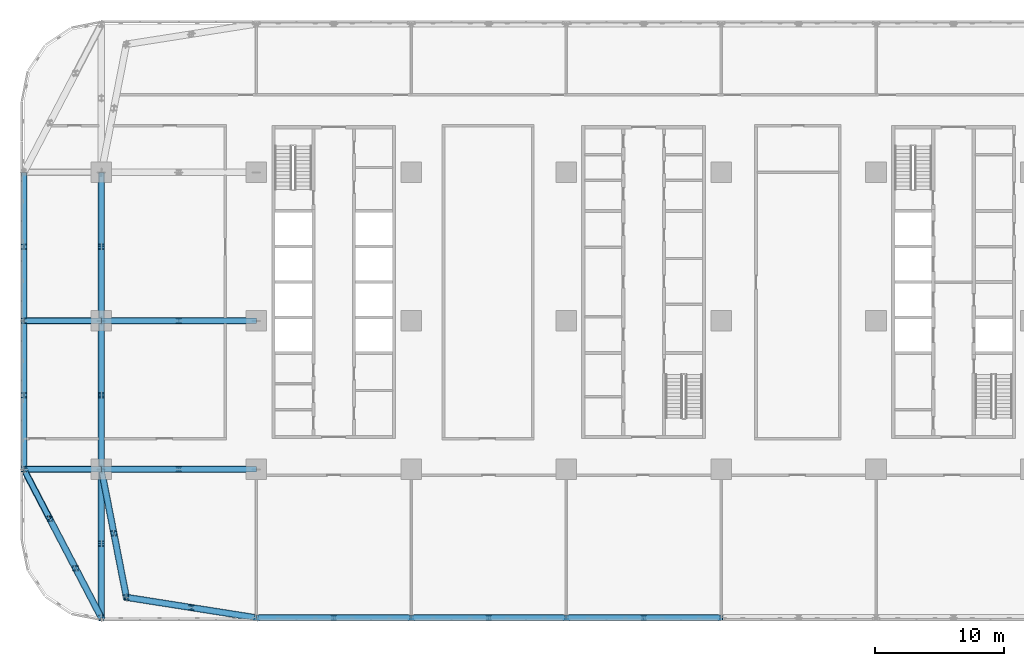
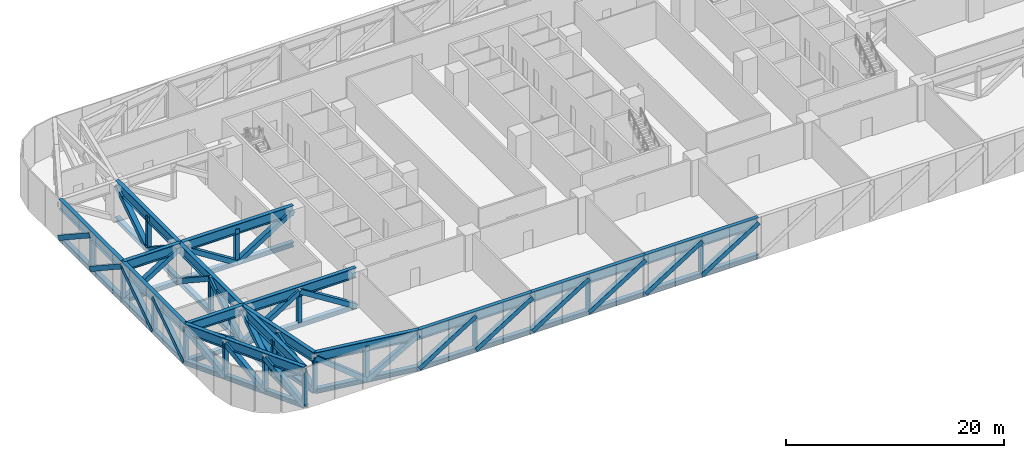
# One storey, part 3 of 25: 79 members.
"""IFC4 building model written with IfcOpenShell, lengths in metres."""

from ifc_helpers import new_model, si_unit, direction, frame, origin, origin_2d, place, context, subcontext, project, spatial, hollow_rectangle, i_section, extrude, material, material_profile, profile_set, type_object, element, save


model = new_model("IFC4")

# Units and contexts
model_context = context("Model", 3, precision=1e-05, world=origin(), true_north=direction((0.0, 1.0)))
body_context = subcontext(model_context, "Body", "Model", "MODEL_VIEW")
ifc_project = project(units=[si_unit("LENGTHUNIT", "METRE"), si_unit("AREAUNIT", "SQUARE_METRE"), si_unit("VOLUMEUNIT", "CUBIC_METRE"), si_unit("PLANEANGLEUNIT", "RADIAN"), si_unit("MASSUNIT", "GRAM", prefix="KILO")], contexts=[model_context])

# Site, building, storey
site_placement = place(None, origin())
site = spatial("IfcSite", under=ifc_project, at=site_placement, CompositionType="ELEMENT")
building_placement = place(site_placement, origin())
building = spatial("IfcBuilding", under=site, at=building_placement, Name="Mahtab Terrace Research Tower", CompositionType="ELEMENT")
storey_placement = place(building_placement, frame((0.0, 0.0, 41.60009765625)))
storey = spatial("IfcBuildingStorey", under=building, at=storey_placement, Name="L09", CompositionType="ELEMENT", Elevation=41.60009765625)

# Members
ifc_material_1 = material(Name="Steel ASTM A500 Gr C", Category="steel")
ifc_material_profile_1 = material_profile(ifc_material_1, hollow_rectangle(XDim=0.508056640625, YDim=0.508056640625, WallThickness=0.01904296875, at=origin_2d()), Name="HSS20X20X3/4")
ifc_profile_set_1 = profile_set([ifc_material_profile_1], Name="Steel ASTM A500 Gr C")
member_type_1 = type_object("IfcMemberType", Name="HSS 20x20x3/4 brace TD202034", PredefinedType="BRACE", material=ifc_profile_set_1)
member_1_placement = place(storey_placement, frame((-48.0, -11.5, -0.27587890625), z_axis=(0.0, 0.835803654064, 0.549028461788), x_axis=(-1.0, 0.0, 0.0)))
element("IfcMember", 1, at=member_1_placement, inside=storey, type_object=member_type_1, Name="Transfer truss T1 diagonal 001", PredefinedType="BRACE", context=body_context, shape_type="SweptSolid", body=[
    extrude(hollow_rectangle(XDim=0.508056640625, YDim=0.508056640625, WallThickness=0.01904296875, at=origin_2d()), origin(), (0.0, 0.0, 1.0), 6.879638671875),
])
member_2_placement = place(storey_placement, frame((-42.0, -11.5, -0.27587890625), z_axis=(-0.846275965704, 0.0, 0.532744769914), x_axis=(0.0, -1.0, 0.0)))
element("IfcMember", 2, at=member_2_placement, inside=storey, type_object=member_type_1, Name="Transfer truss T1 diagonal 002", PredefinedType="BRACE", context=body_context, shape_type="SweptSolid", body=[
    extrude(hollow_rectangle(XDim=0.508056640625, YDim=0.508056640625, WallThickness=0.01904296875, at=origin_2d()), origin(), (0.0, 0.0, 1.0), 7.08984375),
])
for number, where, z_axis, x_axis, name in (
    (3, (-48.0, -5.75, -0.27587890625), (0.0, 0.835803654064, 0.549028461788), (-1.0, 0.0, 0.0), "Transfer truss T1 diagonal 003"),
    (4, (-48.0, 5.75, -0.27587890625), (0.0, -0.835803654064, 0.549028461788), (1.0, 0.0, 0.0), "Transfer truss T1 diagonal 004"),
):
    element("IfcMember", number, at=place(storey_placement, frame(where, z_axis=z_axis, x_axis=x_axis)), inside=storey, type_object=member_type_1, Name=name, PredefinedType="BRACE", context=body_context, shape_type="SweptSolid", body=[
        extrude(hollow_rectangle(XDim=0.508056640625, YDim=0.508056640625, WallThickness=0.01904296875, at=origin_2d()), origin(), (0.0, 0.0, 1.0), 6.879638671875),
    ])
member_3_placement = place(storey_placement, frame((-48.0, 0.0, -0.27587890625), z_axis=(0.846275965704, 0.0, 0.532744769914), x_axis=(0.0, 1.0, 0.0)))
element("IfcMember", 5, at=member_3_placement, inside=storey, type_object=member_type_1, Name="Transfer truss T1 diagonal 005", PredefinedType="BRACE", context=body_context, shape_type="SweptSolid", body=[
    extrude(hollow_rectangle(XDim=0.508056640625, YDim=0.508056640625, WallThickness=0.01904296875, at=origin_2d()), origin(), (0.0, 0.0, 1.0), 7.08984375),
])
member_4_placement = place(storey_placement, frame((-48.0, 11.5, -0.27587890625), z_axis=(0.0, -0.835803654064, 0.549028461788), x_axis=(1.0, 0.0, 0.0)))
element("IfcMember", 6, at=member_4_placement, inside=storey, type_object=member_type_1, Name="Transfer truss T1 diagonal 006", PredefinedType="BRACE", context=body_context, shape_type="SweptSolid", body=[
    extrude(hollow_rectangle(XDim=0.508056640625, YDim=0.508056640625, WallThickness=0.01904296875, at=origin_2d()), origin(), (0.0, 0.0, 1.0), 6.879638671875),
])
member_5_placement = place(storey_placement, frame((-46.0, -15.3330078125, -0.27587890625), z_axis=(-0.348374802551, 0.667661669927, 0.657923165315), x_axis=(-0.886568735502, -0.462596884155, 0.0)))
element("IfcMember", 7, at=member_5_placement, inside=storey, type_object=member_type_1, Name="Transfer truss T1 diagonal 009", PredefinedType="BRACE", context=body_context, shape_type="SweptSolid", body=[
    extrude(hollow_rectangle(XDim=0.508056640625, YDim=0.508056640625, WallThickness=0.01904296875, at=origin_2d()), origin(), (0.0, 0.0, 1.0), 5.740966796875),
])
member_6_placement = place(storey_placement, frame((-44.0, -19.1669921875, -0.27587890625), z_axis=(-0.34833523845, 0.66775593074, 0.657848446541), x_axis=(-0.886617057815, -0.462504262457, 0.0)))
element("IfcMember", 8, at=member_6_placement, inside=storey, type_object=member_type_1, Name="Transfer truss T1 diagonal 011", PredefinedType="BRACE", context=body_context, shape_type="SweptSolid", body=[
    extrude(hollow_rectangle(XDim=0.508056640625, YDim=0.508056640625, WallThickness=0.01904296875, at=origin_2d()), origin(), (0.0, 0.0, 1.0), 5.74169921875),
])
member_7_placement = place(storey_placement, frame((-42.0, -23.0, -0.27587890625), z_axis=(-0.348374802551, 0.667661669927, 0.657923165315), x_axis=(-0.886568735502, -0.462596884155, 0.0)))
element("IfcMember", 9, at=member_7_placement, inside=storey, type_object=member_type_1, Name="Transfer truss T1 diagonal 013", PredefinedType="BRACE", context=body_context, shape_type="SweptSolid", body=[
    extrude(hollow_rectangle(XDim=0.508056640625, YDim=0.508056640625, WallThickness=0.01904296875, at=origin_2d()), origin(), (0.0, 0.0, 1.0), 5.740966796875),
])
for number, where, z_axis, x_axis, name in (
    (10, (-42.0, -17.25, -0.27587890625), (0.0, -0.835803654064, 0.549028461788), (1.0, 0.0, 0.0), "Transfer truss T1 diagonal 014"),
    (11, (-42.0, -17.25, -0.27587890625), (0.0, 0.835803654064, 0.549028461788), (-1.0, 0.0, 0.0), "Transfer truss T1 diagonal 015"),
):
    element("IfcMember", number, at=place(storey_placement, frame(where, z_axis=z_axis, x_axis=x_axis)), inside=storey, type_object=member_type_1, Name=name, PredefinedType="BRACE", context=body_context, shape_type="SweptSolid", body=[
        extrude(hollow_rectangle(XDim=0.508056640625, YDim=0.508056640625, WallThickness=0.01904296875, at=origin_2d()), origin(), (0.0, 0.0, 1.0), 6.879638671875),
    ])
member_8_placement = place(storey_placement, frame((-41.031005859375, -16.4580078125, -0.27587890625), z_axis=(-0.153620461814, 0.786022761028, 0.598806289928), x_axis=(-0.981431833016, -0.191811253951, 0.0)))
element("IfcMember", 12, at=member_8_placement, inside=storey, type_object=member_type_1, Name="Transfer truss T1 diagonal 016", PredefinedType="BRACE", context=body_context, shape_type="SweptSolid", body=[
    extrude(hollow_rectangle(XDim=0.508056640625, YDim=0.508056640625, WallThickness=0.01904296875, at=origin_2d()), origin(), (0.0, 0.0, 1.0), 6.3076171875),
])
member_9_placement = place(storey_placement, frame((-42.0, -11.5, -0.27587890625), z_axis=(0.846275965704, 0.0, 0.532744769914), x_axis=(0.0, 1.0, 0.0)))
element("IfcMember", 13, at=member_9_placement, inside=storey, type_object=member_type_1, Name="Transfer truss T1 diagonal 017", PredefinedType="BRACE", context=body_context, shape_type="SweptSolid", body=[
    extrude(hollow_rectangle(XDim=0.508056640625, YDim=0.508056640625, WallThickness=0.01904296875, at=origin_2d()), origin(), (0.0, 0.0, 1.0), 7.08984375),
])
for number, where, z_axis, x_axis, name in (
    (14, (-42.0, -11.5, -0.27587890625), (0.0, 0.835803654064, 0.549028461788), (-1.0, 0.0, 0.0), "Transfer truss T1 diagonal 018"),
    (15, (-42.0, 0.0, -0.27587890625), (0.0, -0.835803654064, 0.549028461788), (1.0, 0.0, 0.0), "Transfer truss T1 diagonal 019"),
):
    element("IfcMember", number, at=place(storey_placement, frame(where, z_axis=z_axis, x_axis=x_axis)), inside=storey, type_object=member_type_1, Name=name, PredefinedType="BRACE", context=body_context, shape_type="SweptSolid", body=[
        extrude(hollow_rectangle(XDim=0.508056640625, YDim=0.508056640625, WallThickness=0.01904296875, at=origin_2d()), origin(), (0.0, 0.0, 1.0), 6.879638671875),
    ])
member_10_placement = place(storey_placement, frame((-36.0, 0.0, -0.27587890625), z_axis=(-0.846275965704, 0.0, 0.532744769914), x_axis=(0.0, -1.0, 0.0)))
element("IfcMember", 16, at=member_10_placement, inside=storey, type_object=member_type_1, Name="Transfer truss T1 diagonal 020", PredefinedType="BRACE", context=body_context, shape_type="SweptSolid", body=[
    extrude(hollow_rectangle(XDim=0.508056640625, YDim=0.508056640625, WallThickness=0.01904296875, at=origin_2d()), origin(), (0.0, 0.0, 1.0), 7.08984375),
])
for number, where, z_axis, x_axis, name in (
    (17, (-42.0, 5.75, -0.27587890625), (0.0, -0.835803654064, 0.549028461788), (1.0, 0.0, 0.0), "Transfer truss T1 diagonal 021"),
    (18, (-42.0, 5.75, -0.27587890625), (0.0, 0.835803654064, 0.549028461788), (-1.0, 0.0, 0.0), "Transfer truss T1 diagonal 022"),
):
    element("IfcMember", number, at=place(storey_placement, frame(where, z_axis=z_axis, x_axis=x_axis)), inside=storey, type_object=member_type_1, Name=name, PredefinedType="BRACE", context=body_context, shape_type="SweptSolid", body=[
        extrude(hollow_rectangle(XDim=0.508056640625, YDim=0.508056640625, WallThickness=0.01904296875, at=origin_2d()), origin(), (0.0, 0.0, 1.0), 6.879638671875),
    ])
member_11_placement = place(storey_placement, frame((-40.06201171875, -21.416015625, -0.27587890625), z_axis=(-0.153620461814, 0.786022761028, 0.598806289928), x_axis=(-0.981431833016, -0.191811253951, 0.0)))
element("IfcMember", 19, at=member_11_placement, inside=storey, type_object=member_type_1, Name="Transfer truss T1 diagonal 026", PredefinedType="BRACE", context=body_context, shape_type="SweptSolid", body=[
    extrude(hollow_rectangle(XDim=0.508056640625, YDim=0.508056640625, WallThickness=0.01904296875, at=origin_2d()), origin(), (0.0, 0.0, 1.0), 6.3076171875),
])
member_12_placement = place(storey_placement, frame((-35.031005859375, -22.2080078125, -0.27587890625), z_axis=(-0.793443713829, 0.124905682907, 0.595689217094), x_axis=(-0.155507156777, -0.987834765632, 0.0)))
element("IfcMember", 20, at=member_12_placement, inside=storey, type_object=member_type_1, Name="Transfer truss T1 diagonal 028", PredefinedType="BRACE", context=body_context, shape_type="SweptSolid", body=[
    extrude(hollow_rectangle(XDim=0.508056640625, YDim=0.508056640625, WallThickness=0.01904296875, at=origin_2d()), origin(), (0.0, 0.0, 1.0), 6.3408203125),
])
for number, where, z_axis, x_axis, name in (
    (21, (-30.0, -11.5, -0.27587890625), (-0.846275965704, 0.0, 0.532744769914), (0.0, -1.0, 0.0), "Transfer truss T1 diagonal 030"),
    (22, (-36.0, 0.0, -0.27587890625), (0.846275965704, 0.0, 0.532744769914), (0.0, 1.0, 0.0), "Transfer truss T1 diagonal 031"),
):
    element("IfcMember", number, at=place(storey_placement, frame(where, z_axis=z_axis, x_axis=x_axis)), inside=storey, type_object=member_type_1, Name=name, PredefinedType="BRACE", context=body_context, shape_type="SweptSolid", body=[
        extrude(hollow_rectangle(XDim=0.508056640625, YDim=0.508056640625, WallThickness=0.01904296875, at=origin_2d()), origin(), (0.0, 0.0, 1.0), 7.08984375),
    ])
member_13_placement = place(storey_placement, frame((-35.031005859375, -22.2080078125, -0.27587890625), z_axis=(0.793443713829, -0.124905682907, 0.595689217094), x_axis=(0.155507156777, 0.987834765632, 0.0)))
element("IfcMember", 23, at=member_13_placement, inside=storey, type_object=member_type_1, Name="Transfer truss T1 diagonal 033", PredefinedType="BRACE", context=body_context, shape_type="SweptSolid", body=[
    extrude(hollow_rectangle(XDim=0.508056640625, YDim=0.508056640625, WallThickness=0.01904296875, at=origin_2d()), origin(), (0.0, 0.0, 1.0), 6.3408203125),
])
for number, where, z_axis, x_axis, name in (
    (24, (-30.0, -23.0, -0.27587890625), (0.846275965704, 0.0, 0.532744769914), (0.0, 1.0, 0.0), "Transfer truss T1 diagonal 035"),
    (25, (-24.0, -23.0, -0.27587890625), (0.846275965704, 0.0, 0.532744769914), (0.0, 1.0, 0.0), "Transfer truss T1 diagonal 037"),
    (26, (-18.0, -23.0, -0.27587890625), (0.846275965704, 0.0, 0.532744769914), (0.0, 1.0, 0.0), "Transfer truss T1 diagonal 039"),
    (27, (-12.0, -23.0, -0.27587890625), (0.846275965704, 0.0, 0.532744769914), (0.0, 1.0, 0.0), "Transfer truss T1 diagonal 041"),
    (28, (-6.0, -23.0, -0.27587890625), (0.846275965704, 0.0, 0.532744769914), (0.0, 1.0, 0.0), "Transfer truss T1 diagonal 043"),
    (29, (0.0, -23.0, -0.27587890625), (0.846275965704, 0.0, 0.532744769914), (0.0, 1.0, 0.0), "Transfer truss T1 diagonal 045"),
):
    element("IfcMember", number, at=place(storey_placement, frame(where, z_axis=z_axis, x_axis=x_axis)), inside=storey, type_object=member_type_1, Name=name, PredefinedType="BRACE", context=body_context, shape_type="SweptSolid", body=[
        extrude(hollow_rectangle(XDim=0.508056640625, YDim=0.508056640625, WallThickness=0.01904296875, at=origin_2d()), origin(), (0.0, 0.0, 1.0), 7.08984375),
    ])
ifc_material_2 = material(Name="Steel ASTM A992 Gr 50", Category="steel")
ifc_material_profile_2 = material_profile(ifc_material_2, i_section(OverallWidth=0.398681640625, OverallDepth=0.393798828125, WebThickness=0.022705078125, FlangeThickness=0.03662109375, at=origin_2d()), Name="W14X193")
ifc_profile_set_2 = profile_set([ifc_material_profile_2], Name="Steel ASTM A992 Gr 50")
member_type_2 = type_object("IfcMemberType", Name="W14x193 post TP14193", PredefinedType="POST", material=ifc_profile_set_2)
for number, where, z_axis, x_axis, name in (
    (30, (-48.0, -11.5, -0.27587890625), (0.0, 0.0, 1.0), (1.0, 0.0, 0.0), "Transfer truss T1 post 001"),
    (31, (-48.0, -5.75, -0.27587890625), (0.0, 0.0, 1.0), (1.0, 0.0, 0.0), "Transfer truss T1 post 002"),
    (32, (-48.0, 0.0, -0.27587890625), (0.0, 0.0, 1.0), (1.0, 0.0, 0.0), "Transfer truss T1 post 003"),
    (33, (-48.0, 5.75, -0.27587890625), (0.0, 0.0, 1.0), (1.0, 0.0, 0.0), "Transfer truss T1 post 004"),
    (34, (-46.0, -15.330078125, -0.27587890625), (0.0, 0.0, 1.0), (1.0, 0.0, 0.0), "Transfer truss T1 post 006"),
    (35, (-44.0, -19.169921875, -0.27587890625), (0.0, 0.0, 1.0), (1.0, 0.0, 0.0), "Transfer truss T1 post 008"),
    (36, (-42.0, -23.0, -0.27587890625), (0.0, 0.0, 1.0), (1.0, 0.0, 0.0), "Transfer truss T1 post 010"),
    (37, (-42.0, -17.25, -0.27587890625), (0.0, 0.0, 1.0), (1.0, 0.0, 0.0), "Transfer truss T1 post 011"),
    (38, (-42.0, -5.75, -0.27587890625), (0.0, 0.0, 1.0), (1.0, 0.0, 0.0), "Transfer truss T1 post 013"),
    (39, (-42.0, 5.75, -0.27587890625), (0.0, 0.0, 1.0), (1.0, 0.0, 0.0), "Transfer truss T1 post 015"),
    (40, (-41.030029296875, -16.4599609375, -0.27587890625), (0.0, 0.0, 1.0), (1.0, 0.0, 0.0), "Transfer truss T1 post 019"),
    (41, (-40.06005859375, -21.419921875, -0.27587890625), (0.0, 0.0, 1.0), (1.0, 0.0, 0.0), "Transfer truss T1 post 021"),
    (42, (-36.0, -11.5, -0.27587890625), (0.0, 0.0, 1.0), (1.0, 0.0, 0.0), "Transfer truss T1 post 023"),
    (43, (-36.0, 0.0, -0.27587890625), (0.0, 0.0, 1.0), (1.0, 0.0, 0.0), "Transfer truss T1 post 024"),
    (44, (-35.030029296875, -22.2099609375, -0.27587890625), (0.0, 0.0, 1.0), (1.0, 0.0, 0.0), "Transfer truss T1 post 026"),
    (45, (-24.0, -23.0, -0.27587890625), (0.0, 0.0, 1.0), (1.0, 0.0, 0.0), "Transfer truss T1 post 033"),
    (46, (-12.0, -23.0, -0.27587890625), (0.0, 0.0, 1.0), (1.0, 0.0, 0.0), "Transfer truss T1 post 037"),
    (47, (0.0, -23.0, -0.27587890625), (0.0, 0.0, 1.0), (1.0, 0.0, 0.0), "Transfer truss T1 post 041"),
):
    element("IfcMember", number, at=place(storey_placement, frame(where, z_axis=z_axis, x_axis=x_axis)), inside=storey, type_object=member_type_2, Name=name, PredefinedType="POST", context=body_context, shape_type="SweptSolid", body=[
        extrude(i_section(OverallWidth=0.398681640625, OverallDepth=0.393798828125, WebThickness=0.022705078125, FlangeThickness=0.03662109375, at=origin_2d()), origin(), (0.0, 0.0, 1.0), 3.777099609375),
    ])
ifc_material_profile_3 = material_profile(ifc_material_2, i_section(OverallWidth=0.44970703125, OverallDepth=0.548583984375, WebThickness=0.072021484375, FlangeThickness=0.11474609375, at=origin_2d()), Name="W14X665")
ifc_profile_set_3 = profile_set([ifc_material_profile_3], Name="Steel ASTM A992 Gr 50")
member_type_3 = type_object("IfcMemberType", Name="W14x665 chord TC14665", PredefinedType="CHORD", material=ifc_profile_set_3)
for number, where, z_axis, x_axis, name in (
    (48, (-48.0, -11.5, -0.27587890625), (0.0, 1.0, 0.0), (-1.0, 0.0, 0.0), "Transfer truss T1 bottom chord 001"),
    (49, (-48.0, 0.0, -0.27587890625), (0.0, 1.0, 0.0), (-1.0, 0.0, 0.0), "Transfer truss T1 bottom chord 002"),
):
    element("IfcMember", number, at=place(storey_placement, frame(where, z_axis=z_axis, x_axis=x_axis)), inside=storey, type_object=member_type_3, Name=name, PredefinedType="CHORD", context=body_context, shape_type="SweptSolid", body=[
        extrude(i_section(OverallWidth=0.44970703125, OverallDepth=0.548583984375, WebThickness=0.072021484375, FlangeThickness=0.11474609375, at=origin_2d()), origin(), (0.0, 0.0, 1.0), 11.5),
    ])
member_14_placement = place(storey_placement, frame((-48.0, -11.5, -0.27587890625), z_axis=(1.0, 0.0, 0.0), x_axis=(0.0, 1.0, 0.0)))
element("IfcMember", 50, at=member_14_placement, inside=storey, type_object=member_type_3, Name="Transfer truss T1 bottom chord 003", PredefinedType="CHORD", context=body_context, shape_type="SweptSolid", body=[
    extrude(i_section(OverallWidth=0.44970703125, OverallDepth=0.548583984375, WebThickness=0.072021484375, FlangeThickness=0.11474609375, at=origin_2d()), origin(), (0.0, 0.0, 1.0), 6.0),
])
member_15_placement = place(storey_placement, frame((-42.0, -11.5, -0.27587890625), z_axis=(1.0, 0.0, 0.0), x_axis=(0.0, 1.0, 0.0)))
element("IfcMember", 51, at=member_15_placement, inside=storey, type_object=member_type_3, Name="Transfer truss T1 bottom chord 004", PredefinedType="CHORD", context=body_context, shape_type="SweptSolid", body=[
    extrude(i_section(OverallWidth=0.44970703125, OverallDepth=0.548583984375, WebThickness=0.072021484375, FlangeThickness=0.11474609375, at=origin_2d()), origin(), (0.0, 0.0, 1.0), 12.0),
])
member_16_placement = place(storey_placement, frame((-42.0, -23.0, -0.27587890625), z_axis=(-0.4625505693, 0.886592900287, 0.0), x_axis=(-0.886592900287, -0.4625505693, 0.0)))
element("IfcMember", 52, at=member_16_placement, inside=storey, type_object=member_type_3, Name="Transfer truss T1 bottom chord 005", PredefinedType="CHORD", context=body_context, shape_type="SweptSolid", body=[
    extrude(i_section(OverallWidth=0.44970703125, OverallDepth=0.548583984375, WebThickness=0.072021484375, FlangeThickness=0.11474609375, at=origin_2d()), origin(), (0.0, 0.0, 1.0), 8.647705078125),
])
member_17_placement = place(storey_placement, frame((-46.0, -15.3330078125, -0.27587890625), z_axis=(-0.462596884155, 0.886568735502, 0.0), x_axis=(-0.886568735502, -0.462596884155, 0.0)))
element("IfcMember", 53, at=member_17_placement, inside=storey, type_object=member_type_3, Name="Transfer truss T1 bottom chord 006", PredefinedType="CHORD", context=body_context, shape_type="SweptSolid", body=[
    extrude(i_section(OverallWidth=0.44970703125, OverallDepth=0.548583984375, WebThickness=0.072021484375, FlangeThickness=0.11474609375, at=origin_2d()), origin(), (0.0, 0.0, 1.0), 4.323486328125),
])
member_18_placement = place(storey_placement, frame((-48.0, 0.0, -0.27587890625), z_axis=(1.0, 0.0, 0.0), x_axis=(0.0, 1.0, 0.0)))
element("IfcMember", 54, at=member_18_placement, inside=storey, type_object=member_type_3, Name="Transfer truss T1 bottom chord 007", PredefinedType="CHORD", context=body_context, shape_type="SweptSolid", body=[
    extrude(i_section(OverallWidth=0.44970703125, OverallDepth=0.548583984375, WebThickness=0.072021484375, FlangeThickness=0.11474609375, at=origin_2d()), origin(), (0.0, 0.0, 1.0), 6.0),
])
member_19_placement = place(storey_placement, frame((-42.0, 0.0, -0.27587890625), z_axis=(1.0, 0.0, 0.0), x_axis=(0.0, 1.0, 0.0)))
element("IfcMember", 55, at=member_19_placement, inside=storey, type_object=member_type_3, Name="Transfer truss T1 bottom chord 008", PredefinedType="CHORD", context=body_context, shape_type="SweptSolid", body=[
    extrude(i_section(OverallWidth=0.44970703125, OverallDepth=0.548583984375, WebThickness=0.072021484375, FlangeThickness=0.11474609375, at=origin_2d()), origin(), (0.0, 0.0, 1.0), 12.0),
])
for number, where, z_axis, x_axis, name in (
    (56, (-42.0, -23.0, -0.27587890625), (0.0, 1.0, 0.0), (-1.0, 0.0, 0.0), "Transfer truss T1 bottom chord 013"),
    (57, (-42.0, -11.5, -0.27587890625), (0.0, 1.0, 0.0), (-1.0, 0.0, 0.0), "Transfer truss T1 bottom chord 014"),
    (58, (-42.0, 0.0, -0.27587890625), (0.0, 1.0, 0.0), (-1.0, 0.0, 0.0), "Transfer truss T1 bottom chord 015"),
):
    element("IfcMember", number, at=place(storey_placement, frame(where, z_axis=z_axis, x_axis=x_axis)), inside=storey, type_object=member_type_3, Name=name, PredefinedType="CHORD", context=body_context, shape_type="SweptSolid", body=[
        extrude(i_section(OverallWidth=0.44970703125, OverallDepth=0.548583984375, WebThickness=0.072021484375, FlangeThickness=0.11474609375, at=origin_2d()), origin(), (0.0, 0.0, 1.0), 11.5),
    ])
member_20_placement = place(storey_placement, frame((-42.0, -11.5, -0.27587890625), z_axis=(0.191811253951, -0.981431833016, 0.0), x_axis=(0.981431833016, 0.191811253951, 0.0)))
element("IfcMember", 59, at=member_20_placement, inside=storey, type_object=member_type_3, Name="Transfer truss T1 bottom chord 017", PredefinedType="CHORD", context=body_context, shape_type="SweptSolid", body=[
    extrude(i_section(OverallWidth=0.44970703125, OverallDepth=0.548583984375, WebThickness=0.072021484375, FlangeThickness=0.11474609375, at=origin_2d()), origin(), (0.0, 0.0, 1.0), 10.103515625),
])
member_21_placement = place(storey_placement, frame((-40.06201171875, -21.416015625, -0.27587890625), z_axis=(0.987834765632, -0.155507156777, 0.0), x_axis=(0.155507156777, 0.987834765632, 0.0)))
element("IfcMember", 60, at=member_21_placement, inside=storey, type_object=member_type_3, Name="Transfer truss T1 bottom chord 019", PredefinedType="CHORD", context=body_context, shape_type="SweptSolid", body=[
    extrude(i_section(OverallWidth=0.44970703125, OverallDepth=0.548583984375, WebThickness=0.072021484375, FlangeThickness=0.11474609375, at=origin_2d()), origin(), (0.0, 0.0, 1.0), 10.18603515625),
])
for number, where, z_axis, x_axis, name in (
    (61, (-30.0, -23.0, -0.27587890625), (1.0, 0.0, 0.0), (0.0, 1.0, 0.0), "Transfer truss T1 bottom chord 021"),
    (62, (-18.0, -23.0, -0.27587890625), (1.0, 0.0, 0.0), (0.0, 1.0, 0.0), "Transfer truss T1 bottom chord 022"),
    (63, (-6.0, -23.0, -0.27587890625), (1.0, 0.0, 0.0), (0.0, 1.0, 0.0), "Transfer truss T1 bottom chord 023"),
):
    element("IfcMember", number, at=place(storey_placement, frame(where, z_axis=z_axis, x_axis=x_axis)), inside=storey, type_object=member_type_3, Name=name, PredefinedType="CHORD", context=body_context, shape_type="SweptSolid", body=[
        extrude(i_section(OverallWidth=0.44970703125, OverallDepth=0.548583984375, WebThickness=0.072021484375, FlangeThickness=0.11474609375, at=origin_2d()), origin(), (0.0, 0.0, 1.0), 12.0),
    ])
ifc_material_profile_4 = material_profile(ifc_material_2, i_section(OverallWidth=0.40380859375, OverallDepth=1.11767578125, WebThickness=0.026123046875, FlangeThickness=0.044921875, at=origin_2d()), Name="W44X335")
ifc_profile_set_4 = profile_set([ifc_material_profile_4], Name="Steel ASTM A992 Gr 50")
member_type_4 = type_object("IfcMemberType", Name="W44x335 chord TT44335", PredefinedType="CHORD", material=ifc_profile_set_4)
for number, where, z_axis, x_axis, name in (
    (64, (-48.0, -11.5, 3.501220703125), (0.0, 1.0, 0.0), (-1.0, 0.0, 0.0), "Transfer truss T1 top chord 001"),
    (65, (-48.0, 0.0, 3.501220703125), (0.0, 1.0, 0.0), (-1.0, 0.0, 0.0), "Transfer truss T1 top chord 002"),
):
    element("IfcMember", number, at=place(storey_placement, frame(where, z_axis=z_axis, x_axis=x_axis)), inside=storey, type_object=member_type_4, Name=name, PredefinedType="CHORD", context=body_context, shape_type="SweptSolid", body=[
        extrude(i_section(OverallWidth=0.40380859375, OverallDepth=1.11767578125, WebThickness=0.026123046875, FlangeThickness=0.044921875, at=origin_2d()), origin(), (0.0, 0.0, 1.0), 11.5),
    ])
member_22_placement = place(storey_placement, frame((-48.0, -11.5, 3.501220703125), z_axis=(1.0, 0.0, 0.0), x_axis=(0.0, 1.0, 0.0)))
element("IfcMember", 66, at=member_22_placement, inside=storey, type_object=member_type_4, Name="Transfer truss T1 top chord 003", PredefinedType="CHORD", context=body_context, shape_type="SweptSolid", body=[
    extrude(i_section(OverallWidth=0.40380859375, OverallDepth=1.11767578125, WebThickness=0.026123046875, FlangeThickness=0.044921875, at=origin_2d()), origin(), (0.0, 0.0, 1.0), 6.0),
])
member_23_placement = place(storey_placement, frame((-42.0, -11.5, 3.501220703125), z_axis=(1.0, 0.0, 0.0), x_axis=(0.0, 1.0, 0.0)))
element("IfcMember", 67, at=member_23_placement, inside=storey, type_object=member_type_4, Name="Transfer truss T1 top chord 004", PredefinedType="CHORD", context=body_context, shape_type="SweptSolid", body=[
    extrude(i_section(OverallWidth=0.40380859375, OverallDepth=1.11767578125, WebThickness=0.026123046875, FlangeThickness=0.044921875, at=origin_2d()), origin(), (0.0, 0.0, 1.0), 12.0),
])
member_24_placement = place(storey_placement, frame((-42.0, -23.0, 3.501220703125), z_axis=(-0.4625505693, 0.886592900287, 0.0), x_axis=(-0.886592900287, -0.4625505693, 0.0)))
element("IfcMember", 68, at=member_24_placement, inside=storey, type_object=member_type_4, Name="Transfer truss T1 top chord 005", PredefinedType="CHORD", context=body_context, shape_type="SweptSolid", body=[
    extrude(i_section(OverallWidth=0.40380859375, OverallDepth=1.11767578125, WebThickness=0.026123046875, FlangeThickness=0.044921875, at=origin_2d()), origin(), (0.0, 0.0, 1.0), 8.647705078125),
])
member_25_placement = place(storey_placement, frame((-46.0, -15.3330078125, 3.501220703125), z_axis=(-0.462596884155, 0.886568735502, 0.0), x_axis=(-0.886568735502, -0.462596884155, 0.0)))
element("IfcMember", 69, at=member_25_placement, inside=storey, type_object=member_type_4, Name="Transfer truss T1 top chord 006", PredefinedType="CHORD", context=body_context, shape_type="SweptSolid", body=[
    extrude(i_section(OverallWidth=0.40380859375, OverallDepth=1.11767578125, WebThickness=0.026123046875, FlangeThickness=0.044921875, at=origin_2d()), origin(), (0.0, 0.0, 1.0), 4.323486328125),
])
member_26_placement = place(storey_placement, frame((-48.0, 0.0, 3.501220703125), z_axis=(1.0, 0.0, 0.0), x_axis=(0.0, 1.0, 0.0)))
element("IfcMember", 70, at=member_26_placement, inside=storey, type_object=member_type_4, Name="Transfer truss T1 top chord 007", PredefinedType="CHORD", context=body_context, shape_type="SweptSolid", body=[
    extrude(i_section(OverallWidth=0.40380859375, OverallDepth=1.11767578125, WebThickness=0.026123046875, FlangeThickness=0.044921875, at=origin_2d()), origin(), (0.0, 0.0, 1.0), 6.0),
])
member_27_placement = place(storey_placement, frame((-42.0, 0.0, 3.501220703125), z_axis=(1.0, 0.0, 0.0), x_axis=(0.0, 1.0, 0.0)))
element("IfcMember", 71, at=member_27_placement, inside=storey, type_object=member_type_4, Name="Transfer truss T1 top chord 008", PredefinedType="CHORD", context=body_context, shape_type="SweptSolid", body=[
    extrude(i_section(OverallWidth=0.40380859375, OverallDepth=1.11767578125, WebThickness=0.026123046875, FlangeThickness=0.044921875, at=origin_2d()), origin(), (0.0, 0.0, 1.0), 12.0),
])
for number, where, z_axis, x_axis, name in (
    (72, (-42.0, -23.0, 3.501220703125), (0.0, 1.0, 0.0), (-1.0, 0.0, 0.0), "Transfer truss T1 top chord 013"),
    (73, (-42.0, -11.5, 3.501220703125), (0.0, 1.0, 0.0), (-1.0, 0.0, 0.0), "Transfer truss T1 top chord 014"),
    (74, (-42.0, 0.0, 3.501220703125), (0.0, 1.0, 0.0), (-1.0, 0.0, 0.0), "Transfer truss T1 top chord 015"),
):
    element("IfcMember", number, at=place(storey_placement, frame(where, z_axis=z_axis, x_axis=x_axis)), inside=storey, type_object=member_type_4, Name=name, PredefinedType="CHORD", context=body_context, shape_type="SweptSolid", body=[
        extrude(i_section(OverallWidth=0.40380859375, OverallDepth=1.11767578125, WebThickness=0.026123046875, FlangeThickness=0.044921875, at=origin_2d()), origin(), (0.0, 0.0, 1.0), 11.5),
    ])
member_28_placement = place(storey_placement, frame((-42.0, -11.5, 3.501220703125), z_axis=(0.191811253951, -0.981431833016, 0.0), x_axis=(0.981431833016, 0.191811253951, 0.0)))
element("IfcMember", 75, at=member_28_placement, inside=storey, type_object=member_type_4, Name="Transfer truss T1 top chord 017", PredefinedType="CHORD", context=body_context, shape_type="SweptSolid", body=[
    extrude(i_section(OverallWidth=0.40380859375, OverallDepth=1.11767578125, WebThickness=0.026123046875, FlangeThickness=0.044921875, at=origin_2d()), origin(), (0.0, 0.0, 1.0), 10.103515625),
])
member_29_placement = place(storey_placement, frame((-40.06201171875, -21.416015625, 3.501220703125), z_axis=(0.987834765632, -0.155507156777, 0.0), x_axis=(0.155507156777, 0.987834765632, 0.0)))
element("IfcMember", 76, at=member_29_placement, inside=storey, type_object=member_type_4, Name="Transfer truss T1 top chord 019", PredefinedType="CHORD", context=body_context, shape_type="SweptSolid", body=[
    extrude(i_section(OverallWidth=0.40380859375, OverallDepth=1.11767578125, WebThickness=0.026123046875, FlangeThickness=0.044921875, at=origin_2d()), origin(), (0.0, 0.0, 1.0), 10.18603515625),
])
for number, where, z_axis, x_axis, name in (
    (77, (-30.0, -23.0, 3.501220703125), (1.0, 0.0, 0.0), (0.0, 1.0, 0.0), "Transfer truss T1 top chord 021"),
    (78, (-18.0, -23.0, 3.501220703125), (1.0, 0.0, 0.0), (0.0, 1.0, 0.0), "Transfer truss T1 top chord 022"),
    (79, (-6.0, -23.0, 3.501220703125), (1.0, 0.0, 0.0), (0.0, 1.0, 0.0), "Transfer truss T1 top chord 023"),
):
    element("IfcMember", number, at=place(storey_placement, frame(where, z_axis=z_axis, x_axis=x_axis)), inside=storey, type_object=member_type_4, Name=name, PredefinedType="CHORD", context=body_context, shape_type="SweptSolid", body=[
        extrude(i_section(OverallWidth=0.40380859375, OverallDepth=1.11767578125, WebThickness=0.026123046875, FlangeThickness=0.044921875, at=origin_2d()), origin(), (0.0, 0.0, 1.0), 12.0),
    ])

save(model, "model.ifc")
